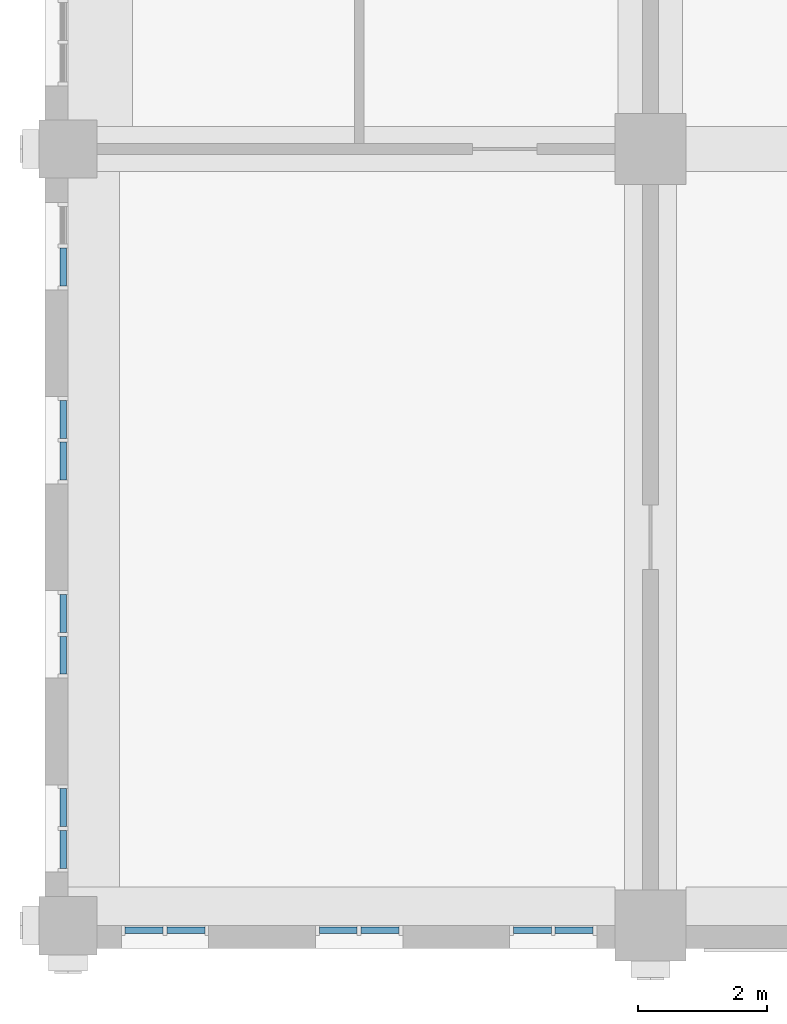
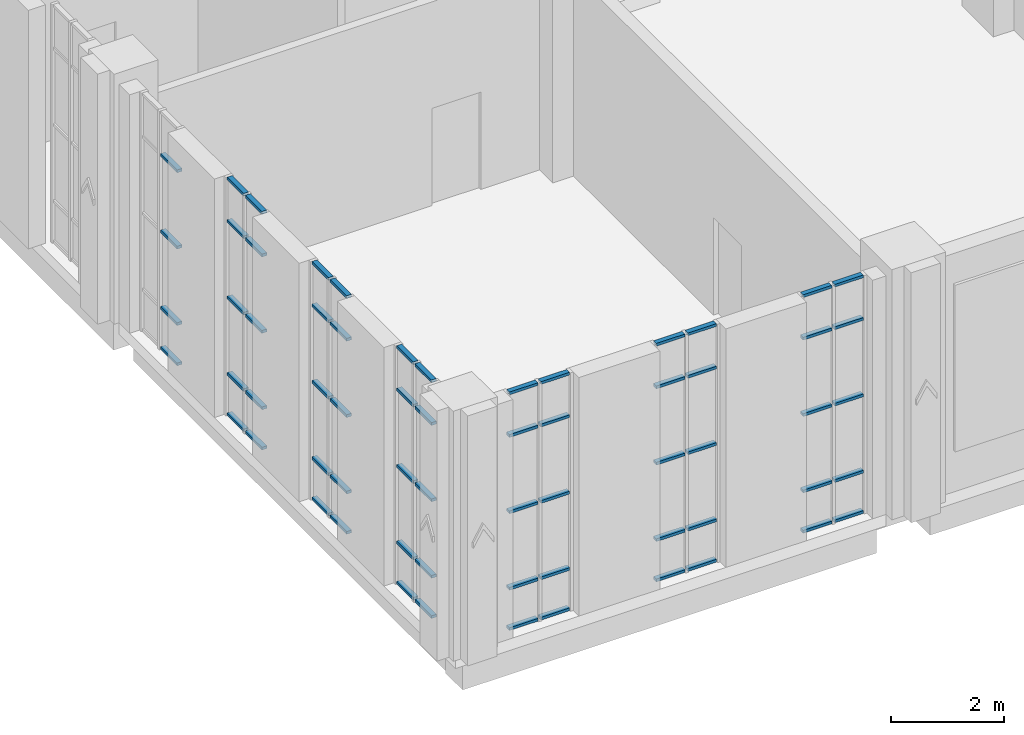
# One storey, part 6 of 22: 64 members, 7 elements without a shape of their own.
"""IFC4 building model written with IfcOpenShell, lengths in metres."""

from ifc_helpers import new_model, si_unit, direction, frame, origin, origin_2d, place, context, subcontext, project, spatial, rectangle, extrude, material, layer, layer_set, material_profile, profile_set, type_object, element, aggregate, save


model = new_model("IFC4")

# Units and contexts
model_context = context("Model", 3, precision=1e-05, world=origin(), true_north=direction((0.0, 1.0)))
body_context = subcontext(model_context, "Body", "Model", "MODEL_VIEW")
ifc_project = project(units=[si_unit("LENGTHUNIT", "METRE"), si_unit("AREAUNIT", "SQUARE_METRE"), si_unit("VOLUMEUNIT", "CUBIC_METRE"), si_unit("PLANEANGLEUNIT", "RADIAN"), si_unit("MASSUNIT", "GRAM", prefix="KILO")], contexts=[model_context])

# Site, building, storey
site_placement = place(None, origin())
site = spatial("IfcSite", under=ifc_project, at=site_placement, CompositionType="ELEMENT")
building_placement = place(site_placement, origin())
building = spatial("IfcBuilding", under=site, at=building_placement, Name="Aurelan Courthouse", CompositionType="ELEMENT")
storey_placement = place(building_placement, frame((0.0, 0.0, 39.0)))
storey = spatial("IfcBuildingStorey", under=building, at=storey_placement, Name="L07", CompositionType="ELEMENT", Elevation=39.0)

# Curtain wall, members
ifc_material_1 = material(Name="Bronze-finished aluminium and glass", Category="aluminium")
ifc_layer = layer(ifc_material_1, 0.14990234375)
ifc_layer_set = layer_set([ifc_layer], Name="Bronze-finished aluminium and glass")
curtain_wall_type = type_object("IfcCurtainWallType", Name="Curtain wall 1350 x 5150", PredefinedType="NOTDEFINED", material=ifc_layer_set)
curtain_wall_1_placement = place(storey_placement, origin())
curtain_wall_1 = element("IfcCurtainWall", 1, at=curtain_wall_1_placement, inside=storey, type_object=curtain_wall_type, Name="Curtain wall CW-V5-L07-S01", PredefinedType="NOTDEFINED")
ifc_material_2 = material(Name="Bronze-finished aluminium", Category="aluminium")
ifc_material_profile = material_profile(ifc_material_2, rectangle(XDim=0.10009765625, YDim=0.06005859375, at=origin_2d()), Name="Bronze transom 60 x 100")
ifc_profile_set = profile_set([ifc_material_profile], Name="Bronze-finished aluminium")
member_type = type_object("IfcMemberType", Name="Curtain wall transom 60 x 100", PredefinedType="USERDEFINED", material=ifc_profile_set)
member_1_placement = place(storey_placement, frame((0.885009765625, -0.074951171875, 0.030029296875), z_axis=(1.0, 0.0, 0.0), x_axis=(0.0, 1.0, 0.0)))
member_1 = element("IfcMember", 2, at=member_1_placement, type_object=member_type, Name="CW-V5-L07-S01 transom 1.1", ObjectType="TRANSOM", PredefinedType="USERDEFINED", context=body_context, shape_type="SweptSolid", body=[
    extrude(rectangle(XDim=0.10009765625, YDim=0.06005859375, at=origin_2d()), origin(), (0.0, 0.0, 1.0), 0.5849609375),
])
member_2_placement = place(storey_placement, frame((0.885009765625, -0.074951171875, 0.89990234375), z_axis=(1.0, 0.0, 0.0), x_axis=(0.0, 1.0, 0.0)))
member_2 = element("IfcMember", 3, at=member_2_placement, type_object=member_type, Name="CW-V5-L07-S01 transom 1.2", ObjectType="TRANSOM", PredefinedType="USERDEFINED", context=body_context, shape_type="SweptSolid", body=[
    extrude(rectangle(XDim=0.10009765625, YDim=0.06005859375, at=origin_2d()), origin(), (0.0, 0.0, 1.0), 0.5849609375),
])
member_3_placement = place(storey_placement, frame((0.885009765625, -0.074951171875, 2.550048828125), z_axis=(1.0, 0.0, 0.0), x_axis=(0.0, 1.0, 0.0)))
member_3 = element("IfcMember", 4, at=member_3_placement, type_object=member_type, Name="CW-V5-L07-S01 transom 1.3", ObjectType="TRANSOM", PredefinedType="USERDEFINED", context=body_context, shape_type="SweptSolid", body=[
    extrude(rectangle(XDim=0.10009765625, YDim=0.06005859375, at=origin_2d()), origin(), (0.0, 0.0, 1.0), 0.5849609375),
])
member_4_placement = place(storey_placement, frame((0.885009765625, -0.074951171875, 4.199951171875), z_axis=(1.0, 0.0, 0.0), x_axis=(0.0, 1.0, 0.0)))
member_4 = element("IfcMember", 5, at=member_4_placement, type_object=member_type, Name="CW-V5-L07-S01 transom 1.4", ObjectType="TRANSOM", PredefinedType="USERDEFINED", context=body_context, shape_type="SweptSolid", body=[
    extrude(rectangle(XDim=0.10009765625, YDim=0.06005859375, at=origin_2d()), origin(), (0.0, 0.0, 1.0), 0.5849609375),
])
member_5_placement = place(storey_placement, frame((0.885009765625, -0.074951171875, 5.1201171875), z_axis=(1.0, 0.0, 0.0), x_axis=(0.0, 1.0, 0.0)))
member_5 = element("IfcMember", 6, at=member_5_placement, type_object=member_type, Name="CW-V5-L07-S01 transom 1.5", ObjectType="TRANSOM", PredefinedType="USERDEFINED", context=body_context, shape_type="SweptSolid", body=[
    extrude(rectangle(XDim=0.10009765625, YDim=0.06005859375, at=origin_2d()), origin(), (0.0, 0.0, 1.0), 0.5849609375),
])
member_6_placement = place(storey_placement, frame((1.530029296875, -0.074951171875, 0.030029296875), z_axis=(1.0, 0.0, 0.0), x_axis=(0.0, 1.0, 0.0)))
member_6 = element("IfcMember", 7, at=member_6_placement, type_object=member_type, Name="CW-V5-L07-S01 transom 2.1", ObjectType="TRANSOM", PredefinedType="USERDEFINED", context=body_context, shape_type="SweptSolid", body=[
    extrude(rectangle(XDim=0.10009765625, YDim=0.06005859375, at=origin_2d()), origin(), (0.0, 0.0, 1.0), 0.5849609375),
])
member_7_placement = place(storey_placement, frame((1.530029296875, -0.074951171875, 0.89990234375), z_axis=(1.0, 0.0, 0.0), x_axis=(0.0, 1.0, 0.0)))
member_7 = element("IfcMember", 8, at=member_7_placement, type_object=member_type, Name="CW-V5-L07-S01 transom 2.2", ObjectType="TRANSOM", PredefinedType="USERDEFINED", context=body_context, shape_type="SweptSolid", body=[
    extrude(rectangle(XDim=0.10009765625, YDim=0.06005859375, at=origin_2d()), origin(), (0.0, 0.0, 1.0), 0.5849609375),
])
member_8_placement = place(storey_placement, frame((1.530029296875, -0.074951171875, 2.550048828125), z_axis=(1.0, 0.0, 0.0), x_axis=(0.0, 1.0, 0.0)))
member_8 = element("IfcMember", 9, at=member_8_placement, type_object=member_type, Name="CW-V5-L07-S01 transom 2.3", ObjectType="TRANSOM", PredefinedType="USERDEFINED", context=body_context, shape_type="SweptSolid", body=[
    extrude(rectangle(XDim=0.10009765625, YDim=0.06005859375, at=origin_2d()), origin(), (0.0, 0.0, 1.0), 0.5849609375),
])
member_9_placement = place(storey_placement, frame((1.530029296875, -0.074951171875, 4.199951171875), z_axis=(1.0, 0.0, 0.0), x_axis=(0.0, 1.0, 0.0)))
member_9 = element("IfcMember", 10, at=member_9_placement, type_object=member_type, Name="CW-V5-L07-S01 transom 2.4", ObjectType="TRANSOM", PredefinedType="USERDEFINED", context=body_context, shape_type="SweptSolid", body=[
    extrude(rectangle(XDim=0.10009765625, YDim=0.06005859375, at=origin_2d()), origin(), (0.0, 0.0, 1.0), 0.5849609375),
])
member_10_placement = place(storey_placement, frame((1.530029296875, -0.074951171875, 5.1201171875), z_axis=(1.0, 0.0, 0.0), x_axis=(0.0, 1.0, 0.0)))
member_10 = element("IfcMember", 11, at=member_10_placement, type_object=member_type, Name="CW-V5-L07-S01 transom 2.5", ObjectType="TRANSOM", PredefinedType="USERDEFINED", context=body_context, shape_type="SweptSolid", body=[
    extrude(rectangle(XDim=0.10009765625, YDim=0.06005859375, at=origin_2d()), origin(), (0.0, 0.0, 1.0), 0.5849609375),
])
aggregate(curtain_wall_1, [member_1, member_2, member_3, member_4, member_5, member_6, member_7, member_8, member_9, member_10])

curtain_wall_2_placement = place(storey_placement, origin())
curtain_wall_2 = element("IfcCurtainWall", 12, at=curtain_wall_2_placement, inside=storey, type_object=curtain_wall_type, Name="Curtain wall CW-V5-L07-S02", PredefinedType="NOTDEFINED")
member_11_placement = place(storey_placement, frame((3.885009765625, -0.074951171875, 0.030029296875), z_axis=(1.0, 0.0, 0.0), x_axis=(0.0, 1.0, 0.0)))
member_11 = element("IfcMember", 13, at=member_11_placement, type_object=member_type, Name="CW-V5-L07-S02 transom 1.1", ObjectType="TRANSOM", PredefinedType="USERDEFINED", context=body_context, shape_type="SweptSolid", body=[
    extrude(rectangle(XDim=0.10009765625, YDim=0.06005859375, at=origin_2d()), origin(), (0.0, 0.0, 1.0), 0.5849609375),
])
member_12_placement = place(storey_placement, frame((3.885009765625, -0.074951171875, 0.89990234375), z_axis=(1.0, 0.0, 0.0), x_axis=(0.0, 1.0, 0.0)))
member_12 = element("IfcMember", 14, at=member_12_placement, type_object=member_type, Name="CW-V5-L07-S02 transom 1.2", ObjectType="TRANSOM", PredefinedType="USERDEFINED", context=body_context, shape_type="SweptSolid", body=[
    extrude(rectangle(XDim=0.10009765625, YDim=0.06005859375, at=origin_2d()), origin(), (0.0, 0.0, 1.0), 0.5849609375),
])
member_13_placement = place(storey_placement, frame((3.885009765625, -0.074951171875, 2.550048828125), z_axis=(1.0, 0.0, 0.0), x_axis=(0.0, 1.0, 0.0)))
member_13 = element("IfcMember", 15, at=member_13_placement, type_object=member_type, Name="CW-V5-L07-S02 transom 1.3", ObjectType="TRANSOM", PredefinedType="USERDEFINED", context=body_context, shape_type="SweptSolid", body=[
    extrude(rectangle(XDim=0.10009765625, YDim=0.06005859375, at=origin_2d()), origin(), (0.0, 0.0, 1.0), 0.5849609375),
])
member_14_placement = place(storey_placement, frame((3.885009765625, -0.074951171875, 4.199951171875), z_axis=(1.0, 0.0, 0.0), x_axis=(0.0, 1.0, 0.0)))
member_14 = element("IfcMember", 16, at=member_14_placement, type_object=member_type, Name="CW-V5-L07-S02 transom 1.4", ObjectType="TRANSOM", PredefinedType="USERDEFINED", context=body_context, shape_type="SweptSolid", body=[
    extrude(rectangle(XDim=0.10009765625, YDim=0.06005859375, at=origin_2d()), origin(), (0.0, 0.0, 1.0), 0.5849609375),
])
member_15_placement = place(storey_placement, frame((3.885009765625, -0.074951171875, 5.1201171875), z_axis=(1.0, 0.0, 0.0), x_axis=(0.0, 1.0, 0.0)))
member_15 = element("IfcMember", 17, at=member_15_placement, type_object=member_type, Name="CW-V5-L07-S02 transom 1.5", ObjectType="TRANSOM", PredefinedType="USERDEFINED", context=body_context, shape_type="SweptSolid", body=[
    extrude(rectangle(XDim=0.10009765625, YDim=0.06005859375, at=origin_2d()), origin(), (0.0, 0.0, 1.0), 0.5849609375),
])
member_16_placement = place(storey_placement, frame((4.530029296875, -0.074951171875, 0.030029296875), z_axis=(1.0, 0.0, 0.0), x_axis=(0.0, 1.0, 0.0)))
member_16 = element("IfcMember", 18, at=member_16_placement, type_object=member_type, Name="CW-V5-L07-S02 transom 2.1", ObjectType="TRANSOM", PredefinedType="USERDEFINED", context=body_context, shape_type="SweptSolid", body=[
    extrude(rectangle(XDim=0.10009765625, YDim=0.06005859375, at=origin_2d()), origin(), (0.0, 0.0, 1.0), 0.5849609375),
])
member_17_placement = place(storey_placement, frame((4.530029296875, -0.074951171875, 0.89990234375), z_axis=(1.0, 0.0, 0.0), x_axis=(0.0, 1.0, 0.0)))
member_17 = element("IfcMember", 19, at=member_17_placement, type_object=member_type, Name="CW-V5-L07-S02 transom 2.2", ObjectType="TRANSOM", PredefinedType="USERDEFINED", context=body_context, shape_type="SweptSolid", body=[
    extrude(rectangle(XDim=0.10009765625, YDim=0.06005859375, at=origin_2d()), origin(), (0.0, 0.0, 1.0), 0.5849609375),
])
member_18_placement = place(storey_placement, frame((4.530029296875, -0.074951171875, 2.550048828125), z_axis=(1.0, 0.0, 0.0), x_axis=(0.0, 1.0, 0.0)))
member_18 = element("IfcMember", 20, at=member_18_placement, type_object=member_type, Name="CW-V5-L07-S02 transom 2.3", ObjectType="TRANSOM", PredefinedType="USERDEFINED", context=body_context, shape_type="SweptSolid", body=[
    extrude(rectangle(XDim=0.10009765625, YDim=0.06005859375, at=origin_2d()), origin(), (0.0, 0.0, 1.0), 0.5849609375),
])
member_19_placement = place(storey_placement, frame((4.530029296875, -0.074951171875, 4.199951171875), z_axis=(1.0, 0.0, 0.0), x_axis=(0.0, 1.0, 0.0)))
member_19 = element("IfcMember", 21, at=member_19_placement, type_object=member_type, Name="CW-V5-L07-S02 transom 2.4", ObjectType="TRANSOM", PredefinedType="USERDEFINED", context=body_context, shape_type="SweptSolid", body=[
    extrude(rectangle(XDim=0.10009765625, YDim=0.06005859375, at=origin_2d()), origin(), (0.0, 0.0, 1.0), 0.5849609375),
])
member_20_placement = place(storey_placement, frame((4.530029296875, -0.074951171875, 5.1201171875), z_axis=(1.0, 0.0, 0.0), x_axis=(0.0, 1.0, 0.0)))
member_20 = element("IfcMember", 22, at=member_20_placement, type_object=member_type, Name="CW-V5-L07-S02 transom 2.5", ObjectType="TRANSOM", PredefinedType="USERDEFINED", context=body_context, shape_type="SweptSolid", body=[
    extrude(rectangle(XDim=0.10009765625, YDim=0.06005859375, at=origin_2d()), origin(), (0.0, 0.0, 1.0), 0.5849609375),
])
aggregate(curtain_wall_2, [member_11, member_12, member_13, member_14, member_15, member_16, member_17, member_18, member_19, member_20])

curtain_wall_3_placement = place(storey_placement, origin())
curtain_wall_3 = element("IfcCurtainWall", 23, at=curtain_wall_3_placement, inside=storey, type_object=curtain_wall_type, Name="Curtain wall CW-V5-L07-S03", PredefinedType="NOTDEFINED")
member_21_placement = place(storey_placement, frame((6.885009765625, -0.074951171875, 0.030029296875), z_axis=(1.0, 0.0, 0.0), x_axis=(0.0, 1.0, 0.0)))
member_21 = element("IfcMember", 24, at=member_21_placement, type_object=member_type, Name="CW-V5-L07-S03 transom 1.1", ObjectType="TRANSOM", PredefinedType="USERDEFINED", context=body_context, shape_type="SweptSolid", body=[
    extrude(rectangle(XDim=0.10009765625, YDim=0.06005859375, at=origin_2d()), origin(), (0.0, 0.0, 1.0), 0.5849609375),
])
member_22_placement = place(storey_placement, frame((6.885009765625, -0.074951171875, 0.89990234375), z_axis=(1.0, 0.0, 0.0), x_axis=(0.0, 1.0, 0.0)))
member_22 = element("IfcMember", 25, at=member_22_placement, type_object=member_type, Name="CW-V5-L07-S03 transom 1.2", ObjectType="TRANSOM", PredefinedType="USERDEFINED", context=body_context, shape_type="SweptSolid", body=[
    extrude(rectangle(XDim=0.10009765625, YDim=0.06005859375, at=origin_2d()), origin(), (0.0, 0.0, 1.0), 0.5849609375),
])
member_23_placement = place(storey_placement, frame((6.885009765625, -0.074951171875, 2.550048828125), z_axis=(1.0, 0.0, 0.0), x_axis=(0.0, 1.0, 0.0)))
member_23 = element("IfcMember", 26, at=member_23_placement, type_object=member_type, Name="CW-V5-L07-S03 transom 1.3", ObjectType="TRANSOM", PredefinedType="USERDEFINED", context=body_context, shape_type="SweptSolid", body=[
    extrude(rectangle(XDim=0.10009765625, YDim=0.06005859375, at=origin_2d()), origin(), (0.0, 0.0, 1.0), 0.5849609375),
])
member_24_placement = place(storey_placement, frame((6.885009765625, -0.074951171875, 4.199951171875), z_axis=(1.0, 0.0, 0.0), x_axis=(0.0, 1.0, 0.0)))
member_24 = element("IfcMember", 27, at=member_24_placement, type_object=member_type, Name="CW-V5-L07-S03 transom 1.4", ObjectType="TRANSOM", PredefinedType="USERDEFINED", context=body_context, shape_type="SweptSolid", body=[
    extrude(rectangle(XDim=0.10009765625, YDim=0.06005859375, at=origin_2d()), origin(), (0.0, 0.0, 1.0), 0.5849609375),
])
member_25_placement = place(storey_placement, frame((6.885009765625, -0.074951171875, 5.1201171875), z_axis=(1.0, 0.0, 0.0), x_axis=(0.0, 1.0, 0.0)))
member_25 = element("IfcMember", 28, at=member_25_placement, type_object=member_type, Name="CW-V5-L07-S03 transom 1.5", ObjectType="TRANSOM", PredefinedType="USERDEFINED", context=body_context, shape_type="SweptSolid", body=[
    extrude(rectangle(XDim=0.10009765625, YDim=0.06005859375, at=origin_2d()), origin(), (0.0, 0.0, 1.0), 0.5849609375),
])
member_26_placement = place(storey_placement, frame((7.530029296875, -0.074951171875, 0.030029296875), z_axis=(1.0, 0.0, 0.0), x_axis=(0.0, 1.0, 0.0)))
member_26 = element("IfcMember", 29, at=member_26_placement, type_object=member_type, Name="CW-V5-L07-S03 transom 2.1", ObjectType="TRANSOM", PredefinedType="USERDEFINED", context=body_context, shape_type="SweptSolid", body=[
    extrude(rectangle(XDim=0.10009765625, YDim=0.06005859375, at=origin_2d()), origin(), (0.0, 0.0, 1.0), 0.5849609375),
])
member_27_placement = place(storey_placement, frame((7.530029296875, -0.074951171875, 0.89990234375), z_axis=(1.0, 0.0, 0.0), x_axis=(0.0, 1.0, 0.0)))
member_27 = element("IfcMember", 30, at=member_27_placement, type_object=member_type, Name="CW-V5-L07-S03 transom 2.2", ObjectType="TRANSOM", PredefinedType="USERDEFINED", context=body_context, shape_type="SweptSolid", body=[
    extrude(rectangle(XDim=0.10009765625, YDim=0.06005859375, at=origin_2d()), origin(), (0.0, 0.0, 1.0), 0.5849609375),
])
member_28_placement = place(storey_placement, frame((7.530029296875, -0.074951171875, 2.550048828125), z_axis=(1.0, 0.0, 0.0), x_axis=(0.0, 1.0, 0.0)))
member_28 = element("IfcMember", 31, at=member_28_placement, type_object=member_type, Name="CW-V5-L07-S03 transom 2.3", ObjectType="TRANSOM", PredefinedType="USERDEFINED", context=body_context, shape_type="SweptSolid", body=[
    extrude(rectangle(XDim=0.10009765625, YDim=0.06005859375, at=origin_2d()), origin(), (0.0, 0.0, 1.0), 0.5849609375),
])
member_29_placement = place(storey_placement, frame((7.530029296875, -0.074951171875, 4.199951171875), z_axis=(1.0, 0.0, 0.0), x_axis=(0.0, 1.0, 0.0)))
member_29 = element("IfcMember", 32, at=member_29_placement, type_object=member_type, Name="CW-V5-L07-S03 transom 2.4", ObjectType="TRANSOM", PredefinedType="USERDEFINED", context=body_context, shape_type="SweptSolid", body=[
    extrude(rectangle(XDim=0.10009765625, YDim=0.06005859375, at=origin_2d()), origin(), (0.0, 0.0, 1.0), 0.5849609375),
])
member_30_placement = place(storey_placement, frame((7.530029296875, -0.074951171875, 5.1201171875), z_axis=(1.0, 0.0, 0.0), x_axis=(0.0, 1.0, 0.0)))
member_30 = element("IfcMember", 33, at=member_30_placement, type_object=member_type, Name="CW-V5-L07-S03 transom 2.5", ObjectType="TRANSOM", PredefinedType="USERDEFINED", context=body_context, shape_type="SweptSolid", body=[
    extrude(rectangle(XDim=0.10009765625, YDim=0.06005859375, at=origin_2d()), origin(), (0.0, 0.0, 1.0), 0.5849609375),
])
aggregate(curtain_wall_3, [member_21, member_22, member_23, member_24, member_25, member_26, member_27, member_28, member_29, member_30])

curtain_wall_4_placement = place(storey_placement, origin())
curtain_wall_4 = element("IfcCurtainWall", 34, at=curtain_wall_4_placement, inside=storey, type_object=curtain_wall_type, Name="Curtain wall CW-V5-L07-W01", PredefinedType="NOTDEFINED")
member_31_placement = place(storey_placement, frame((-0.074951171875, 0.885009765625, 0.030029296875), z_axis=(0.0, 1.0, 0.0), x_axis=(-1.0, 0.0, 0.0)))
member_31 = element("IfcMember", 35, at=member_31_placement, type_object=member_type, Name="CW-V5-L07-W01 transom 1.1", ObjectType="TRANSOM", PredefinedType="USERDEFINED", context=body_context, shape_type="SweptSolid", body=[
    extrude(rectangle(XDim=0.10009765625, YDim=0.06005859375, at=origin_2d()), origin(), (0.0, 0.0, 1.0), 0.5849609375),
])
member_32_placement = place(storey_placement, frame((-0.074951171875, 0.885009765625, 0.89990234375), z_axis=(0.0, 1.0, 0.0), x_axis=(-1.0, 0.0, 0.0)))
member_32 = element("IfcMember", 36, at=member_32_placement, type_object=member_type, Name="CW-V5-L07-W01 transom 1.2", ObjectType="TRANSOM", PredefinedType="USERDEFINED", context=body_context, shape_type="SweptSolid", body=[
    extrude(rectangle(XDim=0.10009765625, YDim=0.06005859375, at=origin_2d()), origin(), (0.0, 0.0, 1.0), 0.5849609375),
])
member_33_placement = place(storey_placement, frame((-0.074951171875, 0.885009765625, 2.550048828125), z_axis=(0.0, 1.0, 0.0), x_axis=(-1.0, 0.0, 0.0)))
member_33 = element("IfcMember", 37, at=member_33_placement, type_object=member_type, Name="CW-V5-L07-W01 transom 1.3", ObjectType="TRANSOM", PredefinedType="USERDEFINED", context=body_context, shape_type="SweptSolid", body=[
    extrude(rectangle(XDim=0.10009765625, YDim=0.06005859375, at=origin_2d()), origin(), (0.0, 0.0, 1.0), 0.5849609375),
])
member_34_placement = place(storey_placement, frame((-0.074951171875, 0.885009765625, 4.199951171875), z_axis=(0.0, 1.0, 0.0), x_axis=(-1.0, 0.0, 0.0)))
member_34 = element("IfcMember", 38, at=member_34_placement, type_object=member_type, Name="CW-V5-L07-W01 transom 1.4", ObjectType="TRANSOM", PredefinedType="USERDEFINED", context=body_context, shape_type="SweptSolid", body=[
    extrude(rectangle(XDim=0.10009765625, YDim=0.06005859375, at=origin_2d()), origin(), (0.0, 0.0, 1.0), 0.5849609375),
])
member_35_placement = place(storey_placement, frame((-0.074951171875, 0.885009765625, 5.1201171875), z_axis=(0.0, 1.0, 0.0), x_axis=(-1.0, 0.0, 0.0)))
member_35 = element("IfcMember", 39, at=member_35_placement, type_object=member_type, Name="CW-V5-L07-W01 transom 1.5", ObjectType="TRANSOM", PredefinedType="USERDEFINED", context=body_context, shape_type="SweptSolid", body=[
    extrude(rectangle(XDim=0.10009765625, YDim=0.06005859375, at=origin_2d()), origin(), (0.0, 0.0, 1.0), 0.5849609375),
])
member_36_placement = place(storey_placement, frame((-0.074951171875, 1.530029296875, 0.030029296875), z_axis=(0.0, 1.0, 0.0), x_axis=(-1.0, 0.0, 0.0)))
member_36 = element("IfcMember", 40, at=member_36_placement, type_object=member_type, Name="CW-V5-L07-W01 transom 2.1", ObjectType="TRANSOM", PredefinedType="USERDEFINED", context=body_context, shape_type="SweptSolid", body=[
    extrude(rectangle(XDim=0.10009765625, YDim=0.06005859375, at=origin_2d()), origin(), (0.0, 0.0, 1.0), 0.5849609375),
])
member_37_placement = place(storey_placement, frame((-0.074951171875, 1.530029296875, 0.89990234375), z_axis=(0.0, 1.0, 0.0), x_axis=(-1.0, 0.0, 0.0)))
member_37 = element("IfcMember", 41, at=member_37_placement, type_object=member_type, Name="CW-V5-L07-W01 transom 2.2", ObjectType="TRANSOM", PredefinedType="USERDEFINED", context=body_context, shape_type="SweptSolid", body=[
    extrude(rectangle(XDim=0.10009765625, YDim=0.06005859375, at=origin_2d()), origin(), (0.0, 0.0, 1.0), 0.5849609375),
])
member_38_placement = place(storey_placement, frame((-0.074951171875, 1.530029296875, 2.550048828125), z_axis=(0.0, 1.0, 0.0), x_axis=(-1.0, 0.0, 0.0)))
member_38 = element("IfcMember", 42, at=member_38_placement, type_object=member_type, Name="CW-V5-L07-W01 transom 2.3", ObjectType="TRANSOM", PredefinedType="USERDEFINED", context=body_context, shape_type="SweptSolid", body=[
    extrude(rectangle(XDim=0.10009765625, YDim=0.06005859375, at=origin_2d()), origin(), (0.0, 0.0, 1.0), 0.5849609375),
])
member_39_placement = place(storey_placement, frame((-0.074951171875, 1.530029296875, 4.199951171875), z_axis=(0.0, 1.0, 0.0), x_axis=(-1.0, 0.0, 0.0)))
member_39 = element("IfcMember", 43, at=member_39_placement, type_object=member_type, Name="CW-V5-L07-W01 transom 2.4", ObjectType="TRANSOM", PredefinedType="USERDEFINED", context=body_context, shape_type="SweptSolid", body=[
    extrude(rectangle(XDim=0.10009765625, YDim=0.06005859375, at=origin_2d()), origin(), (0.0, 0.0, 1.0), 0.5849609375),
])
member_40_placement = place(storey_placement, frame((-0.074951171875, 1.530029296875, 5.1201171875), z_axis=(0.0, 1.0, 0.0), x_axis=(-1.0, 0.0, 0.0)))
member_40 = element("IfcMember", 44, at=member_40_placement, type_object=member_type, Name="CW-V5-L07-W01 transom 2.5", ObjectType="TRANSOM", PredefinedType="USERDEFINED", context=body_context, shape_type="SweptSolid", body=[
    extrude(rectangle(XDim=0.10009765625, YDim=0.06005859375, at=origin_2d()), origin(), (0.0, 0.0, 1.0), 0.5849609375),
])
aggregate(curtain_wall_4, [member_31, member_32, member_33, member_34, member_35, member_36, member_37, member_38, member_39, member_40])

curtain_wall_5_placement = place(storey_placement, origin())
curtain_wall_5 = element("IfcCurtainWall", 45, at=curtain_wall_5_placement, inside=storey, type_object=curtain_wall_type, Name="Curtain wall CW-V5-L07-W02", PredefinedType="NOTDEFINED")
member_41_placement = place(storey_placement, frame((-0.074951171875, 3.885009765625, 0.030029296875), z_axis=(0.0, 1.0, 0.0), x_axis=(-1.0, 0.0, 0.0)))
member_41 = element("IfcMember", 46, at=member_41_placement, type_object=member_type, Name="CW-V5-L07-W02 transom 1.1", ObjectType="TRANSOM", PredefinedType="USERDEFINED", context=body_context, shape_type="SweptSolid", body=[
    extrude(rectangle(XDim=0.10009765625, YDim=0.06005859375, at=origin_2d()), origin(), (0.0, 0.0, 1.0), 0.5849609375),
])
member_42_placement = place(storey_placement, frame((-0.074951171875, 3.885009765625, 0.89990234375), z_axis=(0.0, 1.0, 0.0), x_axis=(-1.0, 0.0, 0.0)))
member_42 = element("IfcMember", 47, at=member_42_placement, type_object=member_type, Name="CW-V5-L07-W02 transom 1.2", ObjectType="TRANSOM", PredefinedType="USERDEFINED", context=body_context, shape_type="SweptSolid", body=[
    extrude(rectangle(XDim=0.10009765625, YDim=0.06005859375, at=origin_2d()), origin(), (0.0, 0.0, 1.0), 0.5849609375),
])
member_43_placement = place(storey_placement, frame((-0.074951171875, 3.885009765625, 2.550048828125), z_axis=(0.0, 1.0, 0.0), x_axis=(-1.0, 0.0, 0.0)))
member_43 = element("IfcMember", 48, at=member_43_placement, type_object=member_type, Name="CW-V5-L07-W02 transom 1.3", ObjectType="TRANSOM", PredefinedType="USERDEFINED", context=body_context, shape_type="SweptSolid", body=[
    extrude(rectangle(XDim=0.10009765625, YDim=0.06005859375, at=origin_2d()), origin(), (0.0, 0.0, 1.0), 0.5849609375),
])
member_44_placement = place(storey_placement, frame((-0.074951171875, 3.885009765625, 4.199951171875), z_axis=(0.0, 1.0, 0.0), x_axis=(-1.0, 0.0, 0.0)))
member_44 = element("IfcMember", 49, at=member_44_placement, type_object=member_type, Name="CW-V5-L07-W02 transom 1.4", ObjectType="TRANSOM", PredefinedType="USERDEFINED", context=body_context, shape_type="SweptSolid", body=[
    extrude(rectangle(XDim=0.10009765625, YDim=0.06005859375, at=origin_2d()), origin(), (0.0, 0.0, 1.0), 0.5849609375),
])
member_45_placement = place(storey_placement, frame((-0.074951171875, 3.885009765625, 5.1201171875), z_axis=(0.0, 1.0, 0.0), x_axis=(-1.0, 0.0, 0.0)))
member_45 = element("IfcMember", 50, at=member_45_placement, type_object=member_type, Name="CW-V5-L07-W02 transom 1.5", ObjectType="TRANSOM", PredefinedType="USERDEFINED", context=body_context, shape_type="SweptSolid", body=[
    extrude(rectangle(XDim=0.10009765625, YDim=0.06005859375, at=origin_2d()), origin(), (0.0, 0.0, 1.0), 0.5849609375),
])
member_46_placement = place(storey_placement, frame((-0.074951171875, 4.530029296875, 0.030029296875), z_axis=(0.0, 1.0, 0.0), x_axis=(-1.0, 0.0, 0.0)))
member_46 = element("IfcMember", 51, at=member_46_placement, type_object=member_type, Name="CW-V5-L07-W02 transom 2.1", ObjectType="TRANSOM", PredefinedType="USERDEFINED", context=body_context, shape_type="SweptSolid", body=[
    extrude(rectangle(XDim=0.10009765625, YDim=0.06005859375, at=origin_2d()), origin(), (0.0, 0.0, 1.0), 0.5849609375),
])
member_47_placement = place(storey_placement, frame((-0.074951171875, 4.530029296875, 0.89990234375), z_axis=(0.0, 1.0, 0.0), x_axis=(-1.0, 0.0, 0.0)))
member_47 = element("IfcMember", 52, at=member_47_placement, type_object=member_type, Name="CW-V5-L07-W02 transom 2.2", ObjectType="TRANSOM", PredefinedType="USERDEFINED", context=body_context, shape_type="SweptSolid", body=[
    extrude(rectangle(XDim=0.10009765625, YDim=0.06005859375, at=origin_2d()), origin(), (0.0, 0.0, 1.0), 0.5849609375),
])
member_48_placement = place(storey_placement, frame((-0.074951171875, 4.530029296875, 2.550048828125), z_axis=(0.0, 1.0, 0.0), x_axis=(-1.0, 0.0, 0.0)))
member_48 = element("IfcMember", 53, at=member_48_placement, type_object=member_type, Name="CW-V5-L07-W02 transom 2.3", ObjectType="TRANSOM", PredefinedType="USERDEFINED", context=body_context, shape_type="SweptSolid", body=[
    extrude(rectangle(XDim=0.10009765625, YDim=0.06005859375, at=origin_2d()), origin(), (0.0, 0.0, 1.0), 0.5849609375),
])
member_49_placement = place(storey_placement, frame((-0.074951171875, 4.530029296875, 4.199951171875), z_axis=(0.0, 1.0, 0.0), x_axis=(-1.0, 0.0, 0.0)))
member_49 = element("IfcMember", 54, at=member_49_placement, type_object=member_type, Name="CW-V5-L07-W02 transom 2.4", ObjectType="TRANSOM", PredefinedType="USERDEFINED", context=body_context, shape_type="SweptSolid", body=[
    extrude(rectangle(XDim=0.10009765625, YDim=0.06005859375, at=origin_2d()), origin(), (0.0, 0.0, 1.0), 0.5849609375),
])
member_50_placement = place(storey_placement, frame((-0.074951171875, 4.530029296875, 5.1201171875), z_axis=(0.0, 1.0, 0.0), x_axis=(-1.0, 0.0, 0.0)))
member_50 = element("IfcMember", 55, at=member_50_placement, type_object=member_type, Name="CW-V5-L07-W02 transom 2.5", ObjectType="TRANSOM", PredefinedType="USERDEFINED", context=body_context, shape_type="SweptSolid", body=[
    extrude(rectangle(XDim=0.10009765625, YDim=0.06005859375, at=origin_2d()), origin(), (0.0, 0.0, 1.0), 0.5849609375),
])
aggregate(curtain_wall_5, [member_41, member_42, member_43, member_44, member_45, member_46, member_47, member_48, member_49, member_50])

curtain_wall_6_placement = place(storey_placement, origin())
curtain_wall_6 = element("IfcCurtainWall", 56, at=curtain_wall_6_placement, inside=storey, type_object=curtain_wall_type, Name="Curtain wall CW-V5-L07-W03", PredefinedType="NOTDEFINED")
member_51_placement = place(storey_placement, frame((-0.074951171875, 6.885009765625, 0.030029296875), z_axis=(0.0, 1.0, 0.0), x_axis=(-1.0, 0.0, 0.0)))
member_51 = element("IfcMember", 57, at=member_51_placement, type_object=member_type, Name="CW-V5-L07-W03 transom 1.1", ObjectType="TRANSOM", PredefinedType="USERDEFINED", context=body_context, shape_type="SweptSolid", body=[
    extrude(rectangle(XDim=0.10009765625, YDim=0.06005859375, at=origin_2d()), origin(), (0.0, 0.0, 1.0), 0.5849609375),
])
member_52_placement = place(storey_placement, frame((-0.074951171875, 6.885009765625, 0.89990234375), z_axis=(0.0, 1.0, 0.0), x_axis=(-1.0, 0.0, 0.0)))
member_52 = element("IfcMember", 58, at=member_52_placement, type_object=member_type, Name="CW-V5-L07-W03 transom 1.2", ObjectType="TRANSOM", PredefinedType="USERDEFINED", context=body_context, shape_type="SweptSolid", body=[
    extrude(rectangle(XDim=0.10009765625, YDim=0.06005859375, at=origin_2d()), origin(), (0.0, 0.0, 1.0), 0.5849609375),
])
member_53_placement = place(storey_placement, frame((-0.074951171875, 6.885009765625, 2.550048828125), z_axis=(0.0, 1.0, 0.0), x_axis=(-1.0, 0.0, 0.0)))
member_53 = element("IfcMember", 59, at=member_53_placement, type_object=member_type, Name="CW-V5-L07-W03 transom 1.3", ObjectType="TRANSOM", PredefinedType="USERDEFINED", context=body_context, shape_type="SweptSolid", body=[
    extrude(rectangle(XDim=0.10009765625, YDim=0.06005859375, at=origin_2d()), origin(), (0.0, 0.0, 1.0), 0.5849609375),
])
member_54_placement = place(storey_placement, frame((-0.074951171875, 6.885009765625, 4.199951171875), z_axis=(0.0, 1.0, 0.0), x_axis=(-1.0, 0.0, 0.0)))
member_54 = element("IfcMember", 60, at=member_54_placement, type_object=member_type, Name="CW-V5-L07-W03 transom 1.4", ObjectType="TRANSOM", PredefinedType="USERDEFINED", context=body_context, shape_type="SweptSolid", body=[
    extrude(rectangle(XDim=0.10009765625, YDim=0.06005859375, at=origin_2d()), origin(), (0.0, 0.0, 1.0), 0.5849609375),
])
member_55_placement = place(storey_placement, frame((-0.074951171875, 6.885009765625, 5.1201171875), z_axis=(0.0, 1.0, 0.0), x_axis=(-1.0, 0.0, 0.0)))
member_55 = element("IfcMember", 61, at=member_55_placement, type_object=member_type, Name="CW-V5-L07-W03 transom 1.5", ObjectType="TRANSOM", PredefinedType="USERDEFINED", context=body_context, shape_type="SweptSolid", body=[
    extrude(rectangle(XDim=0.10009765625, YDim=0.06005859375, at=origin_2d()), origin(), (0.0, 0.0, 1.0), 0.5849609375),
])
member_56_placement = place(storey_placement, frame((-0.074951171875, 7.530029296875, 0.030029296875), z_axis=(0.0, 1.0, 0.0), x_axis=(-1.0, 0.0, 0.0)))
member_56 = element("IfcMember", 62, at=member_56_placement, type_object=member_type, Name="CW-V5-L07-W03 transom 2.1", ObjectType="TRANSOM", PredefinedType="USERDEFINED", context=body_context, shape_type="SweptSolid", body=[
    extrude(rectangle(XDim=0.10009765625, YDim=0.06005859375, at=origin_2d()), origin(), (0.0, 0.0, 1.0), 0.5849609375),
])
member_57_placement = place(storey_placement, frame((-0.074951171875, 7.530029296875, 0.89990234375), z_axis=(0.0, 1.0, 0.0), x_axis=(-1.0, 0.0, 0.0)))
member_57 = element("IfcMember", 63, at=member_57_placement, type_object=member_type, Name="CW-V5-L07-W03 transom 2.2", ObjectType="TRANSOM", PredefinedType="USERDEFINED", context=body_context, shape_type="SweptSolid", body=[
    extrude(rectangle(XDim=0.10009765625, YDim=0.06005859375, at=origin_2d()), origin(), (0.0, 0.0, 1.0), 0.5849609375),
])
member_58_placement = place(storey_placement, frame((-0.074951171875, 7.530029296875, 2.550048828125), z_axis=(0.0, 1.0, 0.0), x_axis=(-1.0, 0.0, 0.0)))
member_58 = element("IfcMember", 64, at=member_58_placement, type_object=member_type, Name="CW-V5-L07-W03 transom 2.3", ObjectType="TRANSOM", PredefinedType="USERDEFINED", context=body_context, shape_type="SweptSolid", body=[
    extrude(rectangle(XDim=0.10009765625, YDim=0.06005859375, at=origin_2d()), origin(), (0.0, 0.0, 1.0), 0.5849609375),
])
member_59_placement = place(storey_placement, frame((-0.074951171875, 7.530029296875, 4.199951171875), z_axis=(0.0, 1.0, 0.0), x_axis=(-1.0, 0.0, 0.0)))
member_59 = element("IfcMember", 65, at=member_59_placement, type_object=member_type, Name="CW-V5-L07-W03 transom 2.4", ObjectType="TRANSOM", PredefinedType="USERDEFINED", context=body_context, shape_type="SweptSolid", body=[
    extrude(rectangle(XDim=0.10009765625, YDim=0.06005859375, at=origin_2d()), origin(), (0.0, 0.0, 1.0), 0.5849609375),
])
member_60_placement = place(storey_placement, frame((-0.074951171875, 7.530029296875, 5.1201171875), z_axis=(0.0, 1.0, 0.0), x_axis=(-1.0, 0.0, 0.0)))
member_60 = element("IfcMember", 66, at=member_60_placement, type_object=member_type, Name="CW-V5-L07-W03 transom 2.5", ObjectType="TRANSOM", PredefinedType="USERDEFINED", context=body_context, shape_type="SweptSolid", body=[
    extrude(rectangle(XDim=0.10009765625, YDim=0.06005859375, at=origin_2d()), origin(), (0.0, 0.0, 1.0), 0.5849609375),
])
aggregate(curtain_wall_6, [member_51, member_52, member_53, member_54, member_55, member_56, member_57, member_58, member_59, member_60])

curtain_wall_7_placement = place(storey_placement, origin())
curtain_wall_7 = element("IfcCurtainWall", 67, at=curtain_wall_7_placement, inside=storey, type_object=curtain_wall_type, Name="Curtain wall CW-V5-L07-W04", PredefinedType="NOTDEFINED")
member_61_placement = place(storey_placement, frame((-0.074951171875, 9.885009765625, 0.030029296875), z_axis=(0.0, 1.0, 0.0), x_axis=(-1.0, 0.0, 0.0)))
member_61 = element("IfcMember", 68, at=member_61_placement, type_object=member_type, Name="CW-V5-L07-W04 transom 1.1", ObjectType="TRANSOM", PredefinedType="USERDEFINED", context=body_context, shape_type="SweptSolid", body=[
    extrude(rectangle(XDim=0.10009765625, YDim=0.06005859375, at=origin_2d()), origin(), (0.0, 0.0, 1.0), 0.5849609375),
])
member_62_placement = place(storey_placement, frame((-0.074951171875, 9.885009765625, 0.89990234375), z_axis=(0.0, 1.0, 0.0), x_axis=(-1.0, 0.0, 0.0)))
member_62 = element("IfcMember", 69, at=member_62_placement, type_object=member_type, Name="CW-V5-L07-W04 transom 1.2", ObjectType="TRANSOM", PredefinedType="USERDEFINED", context=body_context, shape_type="SweptSolid", body=[
    extrude(rectangle(XDim=0.10009765625, YDim=0.06005859375, at=origin_2d()), origin(), (0.0, 0.0, 1.0), 0.5849609375),
])
member_63_placement = place(storey_placement, frame((-0.074951171875, 9.885009765625, 2.550048828125), z_axis=(0.0, 1.0, 0.0), x_axis=(-1.0, 0.0, 0.0)))
member_63 = element("IfcMember", 70, at=member_63_placement, type_object=member_type, Name="CW-V5-L07-W04 transom 1.3", ObjectType="TRANSOM", PredefinedType="USERDEFINED", context=body_context, shape_type="SweptSolid", body=[
    extrude(rectangle(XDim=0.10009765625, YDim=0.06005859375, at=origin_2d()), origin(), (0.0, 0.0, 1.0), 0.5849609375),
])
member_64_placement = place(storey_placement, frame((-0.074951171875, 9.885009765625, 4.199951171875), z_axis=(0.0, 1.0, 0.0), x_axis=(-1.0, 0.0, 0.0)))
member_64 = element("IfcMember", 71, at=member_64_placement, type_object=member_type, Name="CW-V5-L07-W04 transom 1.4", ObjectType="TRANSOM", PredefinedType="USERDEFINED", context=body_context, shape_type="SweptSolid", body=[
    extrude(rectangle(XDim=0.10009765625, YDim=0.06005859375, at=origin_2d()), origin(), (0.0, 0.0, 1.0), 0.5849609375),
])
aggregate(curtain_wall_7, [member_61, member_62, member_63, member_64])

save(model, "model.ifc")
